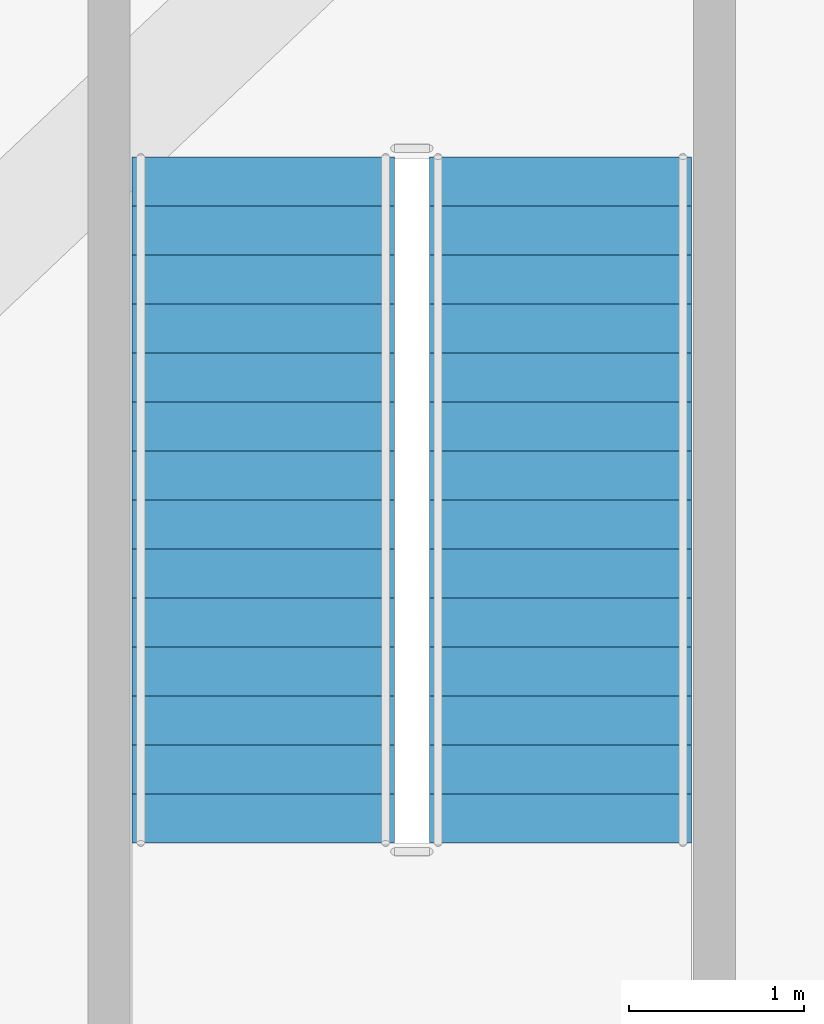
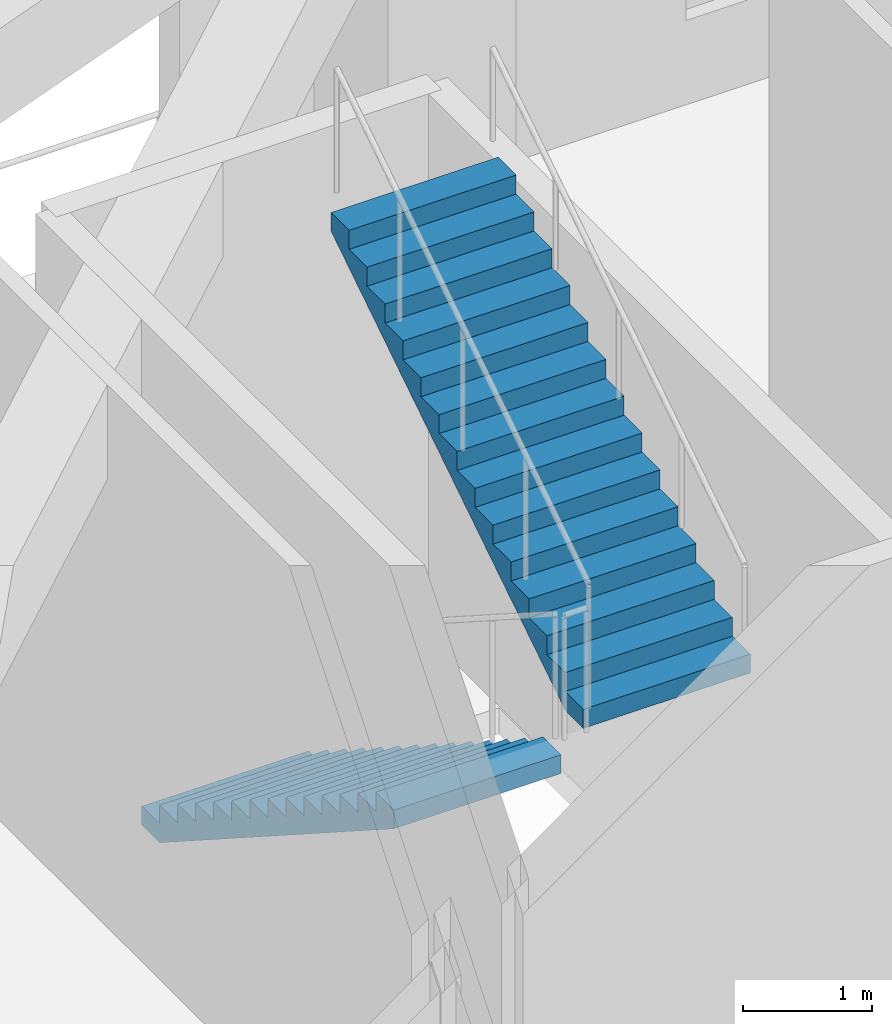
# One storey, part 12 of 18: 2 stair flights, 1 element without a shape of its own.
"""IFC4 building model written with IfcOpenShell, lengths in metres."""

from ifc_helpers import new_model, si_unit, direction, frame, origin, place, context, subcontext, project, spatial, polyline, outline, extrude, material, type_object, element, aggregate, save


model = new_model("IFC4")

# Units and contexts
model_context = context("Model", 3, precision=1e-05, world=origin(), true_north=direction((0.0, 1.0)))
body_context = subcontext(model_context, "Body", "Model", "MODEL_VIEW")
ifc_project = project(units=[si_unit("LENGTHUNIT", "METRE"), si_unit("AREAUNIT", "SQUARE_METRE"), si_unit("VOLUMEUNIT", "CUBIC_METRE"), si_unit("PLANEANGLEUNIT", "RADIAN"), si_unit("MASSUNIT", "GRAM", prefix="KILO")], contexts=[model_context])

# Site, building, storey
site_placement = place(None, origin())
site = spatial("IfcSite", under=ifc_project, at=site_placement, CompositionType="ELEMENT")
building_placement = place(site_placement, origin())
building = spatial("IfcBuilding", under=site, at=building_placement, Name="Gaonmaruhae Medical Tower", CompositionType="ELEMENT")
storey_placement = place(building_placement, frame((0.0, 0.0, 10.800048828125)))
storey = spatial("IfcBuildingStorey", under=building, at=storey_placement, Name="L02", CompositionType="ELEMENT", Elevation=10.800048828125)

# Stair, stair flights
ifc_material = material(Name="Concrete C40/50", Category="concrete")
stair_type = type_object("IfcStairType", Name="ST-T3 Podium Escape Dogleg Stair", PredefinedType="TWO_QUARTER_TURN_STAIR", material=ifc_material)
stair_placement = place(storey_placement, origin())
stair = element("IfcStair", 1, at=stair_placement, inside=storey, type_object=stair_type, Name="L02 Protected Escape Stair ST-05", PredefinedType="TWO_QUARTER_TURN_STAIR")
stair_flight_type = type_object("IfcStairFlightType", Name="SF-T3 Podium Precast Stair Flight", PredefinedType="STRAIGHT", material=ifc_material)
stair_flight_1_placement = place(storey_placement, frame((11.949951171875, 44.300048828125, 0.0), z_axis=(0.0, 0.0, 1.0), x_axis=(0.0, -1.0, 0.0)))
stair_flight_1 = element("IfcStairFlight", 2, at=stair_flight_1_placement, type_object=stair_flight_type, Name="ST-05 flight 1", NumberOfRisers=15, NumberOfTreads=14, PredefinedType="STRAIGHT", RiserHeight=0.18, TreadLength=0.28, context=body_context, shape_type="SweptSolid", body=[
    extrude(outline(polyline([(0.0, 0.0), (0.0, 0.179931640625), (0.280029296875, 0.179931640625), (0.280029296875, 0.360107421875), (0.56005859375, 0.360107421875), (0.56005859375, 0.5400390625), (0.840087890625, 0.5400390625), (0.840087890625, 0.719970703125), (1.1201171875, 0.719970703125), (1.1201171875, 0.89990234375), (1.39990234375, 0.89990234375), (1.39990234375, 1.080078125), (1.679931640625, 1.080078125), (1.679931640625, 1.260009765625), (1.9599609375, 1.260009765625), (1.9599609375, 1.43994140625), (2.239990234375, 1.43994140625), (2.239990234375, 1.6201171875), (2.52001953125, 1.6201171875), (2.52001953125, 1.800048828125), (2.800048828125, 1.800048828125), (2.800048828125, 1.97998046875), (3.080078125, 1.97998046875), (3.080078125, 2.159912109375), (3.360107421875, 2.159912109375), (3.360107421875, 2.340087890625), (3.639892578125, 2.340087890625), (3.639892578125, 2.52001953125), (3.919921875, 2.52001953125), (3.919921875, 2.699951171875), (3.919921875, 2.341796875), (0.277099609375, 0.0), (0.0, 0.0)])), frame((0.0, 0.75, 0.0), z_axis=(0.0, -1.0, 0.0), x_axis=(1.0, 0.0, 0.0)), (0.0, 0.0, 1.0), 1.5),
])
stair_flight_2_placement = place(storey_placement, frame((13.64990234375, 40.3798828125, 2.699951171875), z_axis=(0.0, 0.0, 1.0), x_axis=(0.0, 1.0, 0.0)))
stair_flight_2 = element("IfcStairFlight", 3, at=stair_flight_2_placement, type_object=stair_flight_type, Name="ST-05 flight 2", NumberOfRisers=15, NumberOfTreads=14, PredefinedType="STRAIGHT", RiserHeight=0.18, TreadLength=0.28, context=body_context, shape_type="SweptSolid", body=[
    extrude(outline(polyline([(0.0, 0.0), (0.0, 0.179931640625), (0.280029296875, 0.179931640625), (0.280029296875, 0.360107421875), (0.56005859375, 0.360107421875), (0.56005859375, 0.5400390625), (0.840087890625, 0.5400390625), (0.840087890625, 0.719970703125), (1.1201171875, 0.719970703125), (1.1201171875, 0.89990234375), (1.39990234375, 0.89990234375), (1.39990234375, 1.080078125), (1.679931640625, 1.080078125), (1.679931640625, 1.260009765625), (1.9599609375, 1.260009765625), (1.9599609375, 1.43994140625), (2.239990234375, 1.43994140625), (2.239990234375, 1.6201171875), (2.52001953125, 1.6201171875), (2.52001953125, 1.800048828125), (2.800048828125, 1.800048828125), (2.800048828125, 1.97998046875), (3.080078125, 1.97998046875), (3.080078125, 2.159912109375), (3.360107421875, 2.159912109375), (3.360107421875, 2.340087890625), (3.639892578125, 2.340087890625), (3.639892578125, 2.52001953125), (3.919921875, 2.52001953125), (3.919921875, 2.699951171875), (3.919921875, 2.341796875), (0.277099609375, 0.0), (0.0, 0.0)])), frame((0.0, 0.75, 0.0), z_axis=(0.0, -1.0, 0.0), x_axis=(1.0, 0.0, 0.0)), (0.0, 0.0, 1.0), 1.5),
])
aggregate(stair, [stair_flight_1, stair_flight_2])

save(model, "model.ifc")
